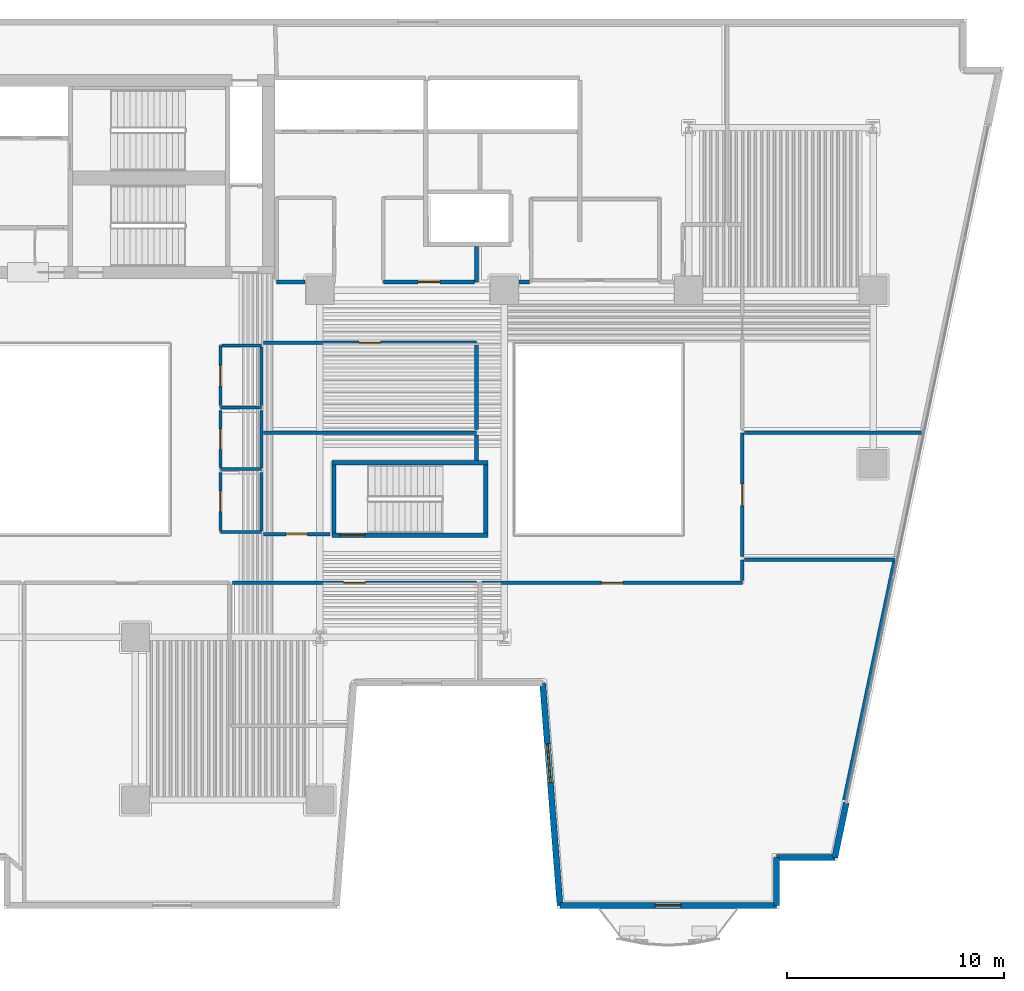
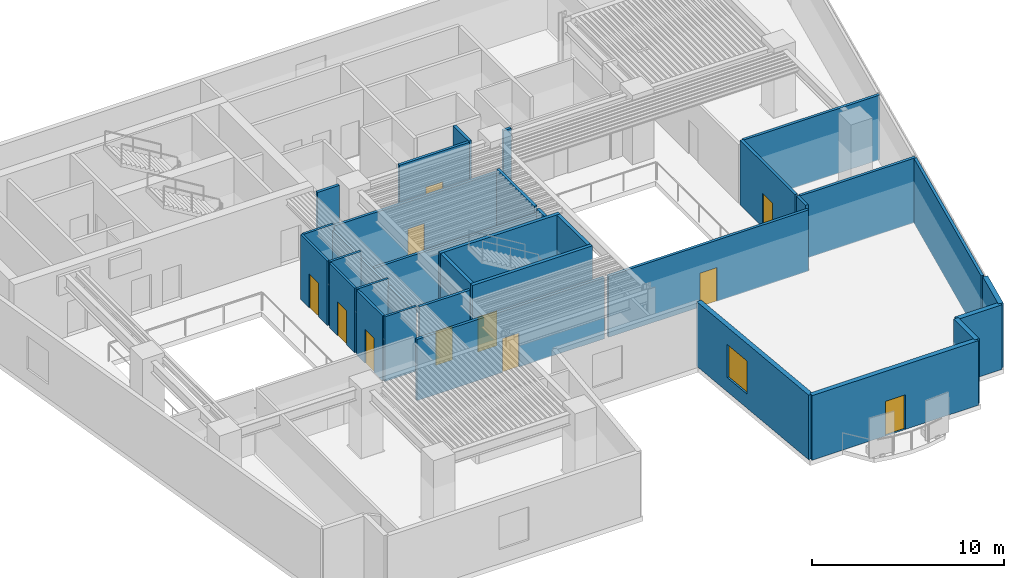
# One storey, part 4 of 11: 35 walls, 11 doors, 1 window, 12 openings.
"""IFC4 building model written with IfcOpenShell, lengths in metres."""

from ifc_helpers import new_model, si_unit, direction, frame, frame_2d, origin, place, context, subcontext, project, spatial, rectangle, extrude, material, layer, layer_set, type_object, element, fill, save


model = new_model("IFC4")

# Units and contexts
model_context = context("Model", 3, precision=1e-05, world=origin(), true_north=direction((0.0, 1.0)))
body_context = subcontext(model_context, "Body", "Model", "MODEL_VIEW")
ifc_project = project(units=[si_unit("LENGTHUNIT", "METRE"), si_unit("AREAUNIT", "SQUARE_METRE"), si_unit("VOLUMEUNIT", "CUBIC_METRE"), si_unit("PLANEANGLEUNIT", "RADIAN"), si_unit("MASSUNIT", "GRAM", prefix="KILO")], contexts=[model_context])

# Site, building, storey
site_placement = place(None, origin())
site = spatial("IfcSite", under=ifc_project, at=site_placement, CompositionType="ELEMENT")
building_placement = place(site_placement, origin())
building = spatial("IfcBuilding", under=site, at=building_placement, Name="Caeloran Harvest Quay", CompositionType="ELEMENT")
storey_placement = place(building_placement, frame((0.0, 0.0, 66.60009765625)))
storey = spatial("IfcBuildingStorey", under=building, at=storey_placement, Name="L15", CompositionType="ELEMENT", Elevation=66.60009765625)

# Walls
ifc_material_1 = material(Name="Precast concrete C50/60", Category="concrete")
ifc_layer_1 = layer(ifc_material_1, 0.280029296875, Name="Precast concrete C50/60")
ifc_layer_set_1 = layer_set([ifc_layer_1], Name="Precast concrete C50/60")
wall_type_1 = type_object("IfcWallType", Name="ENV-WALL-EW-280", PredefinedType="STANDARD", material=ifc_layer_set_1)
wall_1_placement = place(storey_placement, frame((49.77001953125, 7.384521484375, 0.0), z_axis=(0.0, 0.0, 1.0), x_axis=(-0.205551409765, -0.978646319128, 0.0)))
element("IfcWall", 1, at=wall_1_placement, inside=storey, type_object=wall_type_1, Name="L15 Exterior Facade Corner Pier Wall 9B", PredefinedType="STANDARD", context=body_context, shape_type="SweptSolid", body=[
    extrude(rectangle(XDim=2.599853515625, YDim=0.280029296875, at=frame_2d((1.2998046875, 0.0))), origin(), (0.0, 0.0, 1.0), 4.099853515625),
])
wall_2_placement = place(storey_placement, frame((49.235595703125, 4.840087890625, 0.0), z_axis=(0.0, 0.0, 1.0), x_axis=(-1.0, 0.0, 0.0)))
element("IfcWall", 2, at=wall_2_placement, inside=storey, type_object=wall_type_1, Name="L15 Exterior Precast Concrete Facade Wall 10", PredefinedType="STANDARD", context=body_context, shape_type="SweptSolid", body=[
    extrude(rectangle(XDim=2.6884765625, YDim=0.280029296875, at=frame_2d((1.34423828125, 0.0))), origin(), (0.0, 0.0, 1.0), 4.099853515625),
])
wall_3_placement = place(storey_placement, frame((46.547119140625, 4.840087890625, 0.0), z_axis=(0.0, 0.0, 1.0), x_axis=(0.0, -1.0, 0.0)))
element("IfcWall", 3, at=wall_3_placement, inside=storey, type_object=wall_type_1, Name="L15 Exterior Precast Concrete Facade Wall 11", PredefinedType="STANDARD", context=body_context, shape_type="SweptSolid", body=[
    extrude(rectangle(XDim=2.2001953125, YDim=0.280029296875, at=frame_2d((1.10009765625, 0.0))), origin(), (0.0, 0.0, 1.0), 4.099853515625),
])

# Wall, opening, door
wall_4_placement = place(storey_placement, frame((46.547119140625, 2.639892578125, 0.0), z_axis=(0.0, 0.0, 1.0), x_axis=(-1.0, 0.0, 0.0)))
wall_4 = element("IfcWall", 4, at=wall_4_placement, inside=storey, type_object=wall_type_1, Name="L15 Exterior Precast Concrete Facade Wall 12", PredefinedType="STANDARD", context=body_context, shape_type="SweptSolid", body=[
    extrude(rectangle(XDim=9.97705078125, YDim=0.280029296875, at=frame_2d((4.988525390625, 0.0))), origin(), (0.0, 0.0, 1.0), 4.099853515625),
])
opening_1_placement = place(wall_4_placement, frame((4.387939453125, 0.0, 0.0)))
opening_1 = element("IfcOpeningElement", 5, at=opening_1_placement, cuts=wall_4, Name="Opening BD-01", PredefinedType="OPENING", context=body_context, shape_type="SweptSolid", body=[
    extrude(rectangle(XDim=1.199951171875, YDim=2.199951171875, at=frame_2d((0.60009765625, 1.10009765625))), frame((0.0, 0.14990234375, 0.0), z_axis=(0.0, -1.0, 0.0), x_axis=(1.0, 0.0, 0.0)), (0.0, 0.0, 1.0), 0.300048828125),
])
ifc_material_2 = material(Name="Thermally Broken Powder-Coated Aluminium and Safety Glass", Category="aluminium")
door_type_1 = type_object("IfcDoorType", Name="EXTDOOR-BD-01", OperationType="NOTDEFINED", PredefinedType="DOOR", material=ifc_material_2)
door_1_placement = place(opening_1_placement, origin())
door_1 = element("IfcDoor", 6, at=door_1_placement, inside=storey, type_object=door_type_1, Name="L15 Planted Balcony Glazed Access Door", OperationType="SINGLE_SWING_RIGHT", OverallHeight=2.199951171875, OverallWidth=1.199951171875, PredefinedType="DOOR", context=body_context, shape_type="SweptSolid", body=[
    extrude(rectangle(XDim=1.199951171875, YDim=2.199951171875, at=frame_2d((0.60009765625, 1.10009765625))), frame((0.0, 0.02490234375, 0.0), z_axis=(0.0, -1.0, 0.0), x_axis=(1.0, 0.0, 0.0)), (0.0, 0.0, 1.0), 0.050048828125),
])
fill(opening_1, door_1)

# Wall, opening, window
wall_5_placement = place(storey_placement, frame((36.570068359375, 2.639892578125, 0.0), z_axis=(0.0, 0.0, 1.0), x_axis=(-0.077816860153, 0.996967670627, 0.0)))
wall_5 = element("IfcWall", 7, at=wall_5_placement, inside=storey, type_object=wall_type_1, Name="L15 Exterior Precast Concrete Facade Wall 13", PredefinedType="STANDARD", context=body_context, shape_type="SweptSolid", body=[
    extrude(rectangle(XDim=10.28125, YDim=0.280029296875, at=frame_2d((5.140625, 0.0))), origin(), (0.0, 0.0, 1.0), 4.099853515625),
])
opening_2_placement = place(wall_5_placement, frame((5.679931640625, 0.0, 0.89990234375)))
opening_2 = element("IfcOpeningElement", 8, at=opening_2_placement, cuts=wall_5, Name="Opening W-01", PredefinedType="OPENING", context=body_context, shape_type="SweptSolid", body=[
    extrude(rectangle(XDim=1.800048828125, YDim=2.10009765625, at=frame_2d((0.89990234375, 1.050048828125))), frame((0.0, 0.14990234375, 0.0), z_axis=(0.0, -1.0, 0.0), x_axis=(1.0, 0.0, 0.0)), (0.0, 0.0, 1.0), 0.300048828125),
])
ifc_material_3 = material(Name="Aluminium-Framed Low-E Laminated Glass", Category="aluminium")
window_type = type_object("IfcWindowType", Name="WIN-W-01", PartitioningType="SINGLE_PANEL", PredefinedType="WINDOW", material=ifc_material_3)
window_placement = place(opening_2_placement, origin())
window = element("IfcWindow", 9, at=window_placement, inside=storey, type_object=window_type, Name="L15 Facade Punched Window W-01", OverallHeight=2.10009765625, OverallWidth=1.800048828125, PartitioningType="SINGLE_PANEL", PredefinedType="WINDOW", context=body_context, shape_type="SweptSolid", body=[
    extrude(rectangle(XDim=1.800048828125, YDim=2.10009765625, at=frame_2d((0.89990234375, 1.050048828125))), frame((0.0, 0.030029296875, 0.0), z_axis=(0.0, -1.0, 0.0), x_axis=(1.0, 0.0, 0.0)), (0.0, 0.0, 1.0), 0.06005859375),
])
fill(opening_2, window)

# Wall
ifc_material_4 = material(Name="Moisture-Resistant Cement-Board Sanitary Partition", Category="gypsum")
ifc_layer_2 = layer(ifc_material_4, 0.139892578125, Name="Moisture-Resistant Cement-Board Sanitary Partition")
ifc_layer_set_2 = layer_set([ifc_layer_2], Name="Moisture-Resistant Cement-Board Sanitary Partition")
wall_type_2 = type_object("IfcWallType", Name="INT-WALL-PW-140", PredefinedType="PARTITIONING", material=ifc_layer_set_2)
wall_6_placement = place(storey_placement, frame((22.800048828125, 25.60009765625, 0.0), z_axis=(0.0, 0.0, 1.0), x_axis=(-1.0, 0.0, 0.0)))
element("IfcWall", 10, at=wall_6_placement, inside=storey, type_object=wall_type_2, Name="L15 Male Washroom WC Partition Wall", PredefinedType="PARTITIONING", context=body_context, shape_type="SweptSolid", body=[
    extrude(rectangle(XDim=1.89013671875, YDim=0.139892578125, at=frame_2d((0.945068359375, 0.0))), origin(), (0.0, 0.0, 1.0), 4.099853515625),
])

# Wall, opening, door
wall_7_placement = place(storey_placement, frame((20.909912109375, 25.675048828125, 0.0), z_axis=(0.0, 0.0, 1.0), x_axis=(0.0, 1.0, 0.0)))
wall_7 = element("IfcWall", 11, at=wall_7_placement, inside=storey, type_object=wall_type_2, Name="L15 Male Washroom WC Partition Wall", PredefinedType="PARTITIONING", context=body_context, shape_type="SweptSolid", body=[
    extrude(rectangle(XDim=2.77490234375, YDim=0.139892578125, at=frame_2d((1.387451171875, 0.0))), origin(), (0.0, 0.0, 1.0), 4.099853515625),
])
opening_3_placement = place(wall_7_placement, frame((0.91259765625, 0.0, 0.0)))
opening_3 = element("IfcOpeningElement", 12, at=opening_3_placement, cuts=wall_7, Name="Opening WC-01", PredefinedType="OPENING", context=body_context, shape_type="SweptSolid", body=[
    extrude(rectangle(XDim=0.949951171875, YDim=2.14990234375, at=frame_2d((0.47509765625, 1.074951171875))), frame((0.0, 0.080078125, 0.0), z_axis=(0.0, -1.0, 0.0), x_axis=(1.0, 0.0, 0.0)), (0.0, 0.0, 1.0), 0.159912109375),
])
ifc_material_5 = material(Name="High-Pressure Laminate Moisture-Resistant Timber", Category="wood")
door_type_2 = type_object("IfcDoorType", Name="INTDOOR-WC-01", OperationType="NOTDEFINED", PredefinedType="DOOR", material=ifc_material_5)
door_2_placement = place(opening_3_placement, origin())
door_2 = element("IfcDoor", 13, at=door_2_placement, inside=storey, type_object=door_type_2, Name="L15 Male Washroom WC Access Door", OperationType="SINGLE_SWING_LEFT", OverallHeight=2.14990234375, OverallWidth=0.949951171875, PredefinedType="DOOR", context=body_context, shape_type="SweptSolid", body=[
    extrude(rectangle(XDim=0.949951171875, YDim=2.14990234375, at=frame_2d((0.47509765625, 1.074951171875))), frame((0.0, 0.02490234375, 0.0), z_axis=(0.0, -1.0, 0.0), x_axis=(1.0, 0.0, 0.0)), (0.0, 0.0, 1.0), 0.050048828125),
])
fill(opening_3, door_2)

# Walls
wall_8_placement = place(storey_placement, frame((20.985107421875, 28.449951171875, 0.0), z_axis=(0.0, 0.0, 1.0), x_axis=(1.0, 0.0, 0.0)))
element("IfcWall", 14, at=wall_8_placement, inside=storey, type_object=wall_type_2, Name="L15 Male Washroom WC Partition Wall", PredefinedType="PARTITIONING", context=body_context, shape_type="SweptSolid", body=[
    extrude(rectangle(XDim=1.81494140625, YDim=0.139892578125, at=frame_2d((0.907470703125, 0.0))), origin(), (0.0, 0.0, 1.0), 4.099853515625),
])
wall_9_placement = place(storey_placement, frame((22.800048828125, 28.375, 0.0), z_axis=(0.0, 0.0, 1.0), x_axis=(0.0, -1.0, 0.0)))
element("IfcWall", 15, at=wall_9_placement, inside=storey, type_object=wall_type_2, Name="L15 Male Washroom WC Partition Wall", PredefinedType="PARTITIONING", context=body_context, shape_type="SweptSolid", body=[
    extrude(rectangle(XDim=2.699951171875, YDim=0.139892578125, at=frame_2d((1.35009765625, 0.0))), origin(), (0.0, 0.0, 1.0), 3.724853515625),
])
wall_10_placement = place(storey_placement, frame((22.800048828125, 22.75, 0.0), z_axis=(0.0, 0.0, 1.0), x_axis=(-1.0, 0.0, 0.0)))
element("IfcWall", 16, at=wall_10_placement, inside=storey, type_object=wall_type_2, Name="L15 Female Washroom WC Partition Wall", PredefinedType="PARTITIONING", context=body_context, shape_type="SweptSolid", body=[
    extrude(rectangle(XDim=1.89013671875, YDim=0.139892578125, at=frame_2d((0.945068359375, 0.0))), origin(), (0.0, 0.0, 1.0), 4.099853515625),
])

# Wall, opening, door
wall_11_placement = place(storey_placement, frame((20.909912109375, 22.824951171875, 0.0), z_axis=(0.0, 0.0, 1.0), x_axis=(0.0, 1.0, 0.0)))
wall_11 = element("IfcWall", 17, at=wall_11_placement, inside=storey, type_object=wall_type_2, Name="L15 Female Washroom WC Partition Wall", PredefinedType="PARTITIONING", context=body_context, shape_type="SweptSolid", body=[
    extrude(rectangle(XDim=2.625, YDim=0.139892578125, at=frame_2d((1.3125, 0.0))), origin(), (0.0, 0.0, 1.0), 4.099853515625),
])
opening_4_placement = place(wall_11_placement, frame((0.83740234375, 0.0, 0.0)))
opening_4 = element("IfcOpeningElement", 18, at=opening_4_placement, cuts=wall_11, Name="Opening WC-01", PredefinedType="OPENING", context=body_context, shape_type="SweptSolid", body=[
    extrude(rectangle(XDim=0.949951171875, YDim=2.14990234375, at=frame_2d((0.47509765625, 1.074951171875))), frame((0.0, 0.080078125, 0.0), z_axis=(0.0, -1.0, 0.0), x_axis=(1.0, 0.0, 0.0)), (0.0, 0.0, 1.0), 0.159912109375),
])
door_3_placement = place(opening_4_placement, origin())
door_3 = element("IfcDoor", 19, at=door_3_placement, inside=storey, type_object=door_type_2, Name="L15 Female Washroom WC Access Door", OperationType="SINGLE_SWING_RIGHT", OverallHeight=2.14990234375, OverallWidth=0.949951171875, PredefinedType="DOOR", context=body_context, shape_type="SweptSolid", body=[
    extrude(rectangle(XDim=0.949951171875, YDim=2.14990234375, at=frame_2d((0.47509765625, 1.074951171875))), frame((0.0, 0.02490234375, 0.0), z_axis=(0.0, -1.0, 0.0), x_axis=(1.0, 0.0, 0.0)), (0.0, 0.0, 1.0), 0.050048828125),
])
fill(opening_4, door_3)

# Walls
wall_12_placement = place(storey_placement, frame((22.800048828125, 25.449951171875, 0.0), z_axis=(0.0, 0.0, 1.0), x_axis=(0.0, -1.0, 0.0)))
element("IfcWall", 20, at=wall_12_placement, inside=storey, type_object=wall_type_2, Name="L15 Female Washroom WC Partition Wall", PredefinedType="PARTITIONING", context=body_context, shape_type="SweptSolid", body=[
    extrude(rectangle(XDim=2.625, YDim=0.139892578125, at=frame_2d((1.3125, 0.0))), origin(), (0.0, 0.0, 1.0), 3.724853515625),
])
wall_13_placement = place(storey_placement, frame((22.800048828125, 19.85009765625, 0.0), z_axis=(0.0, 0.0, 1.0), x_axis=(-1.0, 0.0, 0.0)))
element("IfcWall", 21, at=wall_13_placement, inside=storey, type_object=wall_type_2, Name="L15 Accessible Unisex Washroom WC Partition Wall", PredefinedType="PARTITIONING", context=body_context, shape_type="SweptSolid", body=[
    extrude(rectangle(XDim=1.89013671875, YDim=0.139892578125, at=frame_2d((0.945068359375, 0.0))), origin(), (0.0, 0.0, 1.0), 4.099853515625),
])

# Wall, opening, door
wall_14_placement = place(storey_placement, frame((20.909912109375, 19.925048828125, 0.0), z_axis=(0.0, 0.0, 1.0), x_axis=(0.0, 1.0, 0.0)))
wall_14 = element("IfcWall", 22, at=wall_14_placement, inside=storey, type_object=wall_type_2, Name="L15 Accessible Unisex Washroom WC Partition Wall", PredefinedType="PARTITIONING", context=body_context, shape_type="SweptSolid", body=[
    extrude(rectangle(XDim=2.675048828125, YDim=0.139892578125, at=frame_2d((1.33740234375, 0.0))), origin(), (0.0, 0.0, 1.0), 4.099853515625),
])
opening_5_placement = place(wall_14_placement, frame((0.862548828125, 0.0, 0.0)))
opening_5 = element("IfcOpeningElement", 23, at=opening_5_placement, cuts=wall_14, Name="Opening WC-01", PredefinedType="OPENING", context=body_context, shape_type="SweptSolid", body=[
    extrude(rectangle(XDim=0.949951171875, YDim=2.14990234375, at=frame_2d((0.47509765625, 1.074951171875))), frame((0.0, 0.080078125, 0.0), z_axis=(0.0, -1.0, 0.0), x_axis=(1.0, 0.0, 0.0)), (0.0, 0.0, 1.0), 0.159912109375),
])
door_4_placement = place(opening_5_placement, origin())
door_4 = element("IfcDoor", 24, at=door_4_placement, inside=storey, type_object=door_type_2, Name="L15 Accessible Unisex Washroom WC Access Door", OperationType="SINGLE_SWING_LEFT", OverallHeight=2.14990234375, OverallWidth=0.949951171875, PredefinedType="DOOR", context=body_context, shape_type="SweptSolid", body=[
    extrude(rectangle(XDim=0.949951171875, YDim=2.14990234375, at=frame_2d((0.47509765625, 1.074951171875))), frame((0.0, 0.02490234375, 0.0), z_axis=(0.0, -1.0, 0.0), x_axis=(1.0, 0.0, 0.0)), (0.0, 0.0, 1.0), 0.050048828125),
])
fill(opening_5, door_4)

# Wall
wall_15_placement = place(storey_placement, frame((22.800048828125, 22.60009765625, 0.0), z_axis=(0.0, 0.0, 1.0), x_axis=(0.0, -1.0, 0.0)))
element("IfcWall", 25, at=wall_15_placement, inside=storey, type_object=wall_type_2, Name="L15 Accessible Unisex Washroom WC Partition Wall", PredefinedType="PARTITIONING", context=body_context, shape_type="SweptSolid", body=[
    extrude(rectangle(XDim=2.675048828125, YDim=0.139892578125, at=frame_2d((1.33740234375, 0.0))), origin(), (0.0, 0.0, 1.0), 3.724853515625),
])

# Wall, opening, door
ifc_material_6 = material(Name="Autoclaved Aerated Concrete Blockwork", Category="masonry")
ifc_layer_3 = layer(ifc_material_6, 0.1650390625, Name="Autoclaved Aerated Concrete Blockwork")
ifc_layer_set_3 = layer_set([ifc_layer_3], Name="Autoclaved Aerated Concrete Blockwork")
wall_type_3 = type_object("IfcWallType", Name="INT-WALL-PW-165", PredefinedType="PARTITIONING", material=ifc_layer_set_3)
wall_16_placement = place(storey_placement, frame((32.967529296875, 17.52001953125, 0.0), z_axis=(0.0, 0.0, 1.0), x_axis=(1.0, 0.0, 0.0)))
wall_16 = element("IfcWall", 26, at=wall_16_placement, inside=storey, type_object=wall_type_3, Name="Medicinal Plant Aeroponic Room Partition Wall", PredefinedType="PARTITIONING", context=body_context, shape_type="SweptSolid", body=[
    extrude(rectangle(XDim=12.012451171875, YDim=0.1650390625, at=frame_2d((6.00634765625, 0.0))), origin(), (0.0, 0.0, 1.0), 3.885009765625),
])
opening_6_placement = place(wall_16_placement, frame((5.506103515625, 0.0, 0.0)))
opening_6 = element("IfcOpeningElement", 27, at=opening_6_placement, cuts=wall_16, Name="Opening ID-01", PredefinedType="OPENING", context=body_context, shape_type="SweptSolid", body=[
    extrude(rectangle(XDim=1.0, YDim=2.14990234375, at=frame_2d((0.5, 1.074951171875))), frame((0.0, 0.092529296875, 0.0), z_axis=(0.0, -1.0, 0.0), x_axis=(1.0, 0.0, 0.0)), (0.0, 0.0, 1.0), 0.18505859375),
])
ifc_material_7 = material(Name="FSC Solid-Core Ash Timber and Acoustic Seal", Category="wood")
door_type_3 = type_object("IfcDoorType", Name="INTDOOR-ID-01", OperationType="NOTDEFINED", PredefinedType="DOOR", material=ifc_material_7)
door_5_placement = place(opening_6_placement, origin())
door_5 = element("IfcDoor", 28, at=door_5_placement, inside=storey, type_object=door_type_3, Name="Medicinal Plant Aeroponic Room Access Door", OperationType="SINGLE_SWING_LEFT", OverallHeight=2.14990234375, OverallWidth=1.0, PredefinedType="DOOR", context=body_context, shape_type="SweptSolid", body=[
    extrude(rectangle(XDim=1.0, YDim=2.14990234375, at=frame_2d((0.5, 1.074951171875))), frame((0.0, 0.02490234375, 0.0), z_axis=(0.0, -1.0, 0.0), x_axis=(1.0, 0.0, 0.0)), (0.0, 0.0, 1.0), 0.050048828125),
])
fill(opening_6, door_5)

# Walls
wall_17_placement = place(storey_placement, frame((44.97998046875, 17.607421875, 0.0), z_axis=(0.0, 0.0, 1.0), x_axis=(0.0, 1.0, 0.0)))
element("IfcWall", 29, at=wall_17_placement, inside=storey, type_object=wall_type_3, Name="Medicinal Plant Aeroponic Room Partition Wall", PredefinedType="PARTITIONING", context=body_context, shape_type="SweptSolid", body=[
    extrude(rectangle(XDim=0.962646484375, YDim=0.1650390625, at=frame_2d((0.4814453125, 0.0))), origin(), (0.0, 0.0, 1.0), 4.099853515625),
])
wall_18_placement = place(storey_placement, frame((45.0673828125, 18.570068359375, 0.0), z_axis=(0.0, 0.0, 1.0), x_axis=(1.0, 0.0, 0.0)))
element("IfcWall", 30, at=wall_18_placement, inside=storey, type_object=wall_type_3, Name="Medicinal Plant Aeroponic Room Partition Wall", PredefinedType="PARTITIONING", context=body_context, shape_type="SweptSolid", body=[
    extrude(rectangle(XDim=6.945068359375, YDim=0.1650390625, at=frame_2d((3.47265625, 0.0))), origin(), (0.0, 0.0, 1.0), 4.099853515625),
])
wall_19_placement = place(storey_placement, frame((51.978515625, 18.482421875, 0.0), z_axis=(0.0, 0.0, 1.0), x_axis=(-0.2055553709, -0.978645487137, 0.0)))
element("IfcWall", 31, at=wall_19_placement, inside=storey, type_object=wall_type_3, Name="Medicinal Plant Aeroponic Room Partition Wall", PredefinedType="PARTITIONING", context=body_context, shape_type="SweptSolid", body=[
    extrude(rectangle(XDim=11.22021484375, YDim=0.1650390625, at=frame_2d((5.610107421875, 0.0))), origin(), (0.0, 0.0, 1.0), 4.099853515625),
])

# Wall, opening, door
wall_20_placement = place(storey_placement, frame((21.47998046875, 17.52001953125, 0.0), z_axis=(0.0, 0.0, 1.0), x_axis=(1.0, 0.0, 0.0)))
wall_20 = element("IfcWall", 32, at=wall_20_placement, inside=storey, type_object=wall_type_3, Name="Water Chemistry QA Laboratory Partition Wall", PredefinedType="PARTITIONING", context=body_context, shape_type="SweptSolid", body=[
    extrude(rectangle(XDim=11.239990234375, YDim=0.1650390625, at=frame_2d((5.6201171875, 0.0))), origin(), (0.0, 0.0, 1.0), 3.885009765625),
])
opening_7_placement = place(wall_20_placement, frame((5.1201171875, 0.0, 0.0)))
opening_7 = element("IfcOpeningElement", 33, at=opening_7_placement, cuts=wall_20, Name="Opening ID-01", PredefinedType="OPENING", context=body_context, shape_type="SweptSolid", body=[
    extrude(rectangle(XDim=1.0, YDim=2.14990234375, at=frame_2d((0.5, 1.074951171875))), frame((0.0, 0.092529296875, 0.0), z_axis=(0.0, -1.0, 0.0), x_axis=(1.0, 0.0, 0.0)), (0.0, 0.0, 1.0), 0.18505859375),
])
door_6_placement = place(opening_7_placement, origin())
door_6 = element("IfcDoor", 34, at=door_6_placement, inside=storey, type_object=door_type_3, Name="Water Chemistry QA Laboratory Access Door", OperationType="SINGLE_SWING_LEFT", OverallHeight=2.14990234375, OverallWidth=1.0, PredefinedType="DOOR", context=body_context, shape_type="SweptSolid", body=[
    extrude(rectangle(XDim=1.0, YDim=2.14990234375, at=frame_2d((0.5, 1.074951171875))), frame((0.0, 0.02490234375, 0.0), z_axis=(0.0, -1.0, 0.0), x_axis=(1.0, 0.0, 0.0)), (0.0, 0.0, 1.0), 0.050048828125),
])
fill(opening_7, door_6)

wall_21_placement = place(storey_placement, frame((44.97998046875, 18.72998046875, 0.0), z_axis=(0.0, 0.0, 1.0), x_axis=(0.0, 1.0, 0.0)))
wall_21 = element("IfcWall", 35, at=wall_21_placement, inside=storey, type_object=wall_type_3, Name="Packaging Crate Laboratory Partition Wall", PredefinedType="PARTITIONING", context=body_context, shape_type="SweptSolid", body=[
    extrude(rectangle(XDim=5.68994140625, YDim=0.1650390625, at=frame_2d((2.844970703125, 0.0))), origin(), (0.0, 0.0, 1.0), 4.099853515625),
])
opening_8_placement = place(wall_21_placement, frame((2.344970703125, 0.0, 0.0)))
opening_8 = element("IfcOpeningElement", 36, at=opening_8_placement, cuts=wall_21, Name="Opening ID-01", PredefinedType="OPENING", context=body_context, shape_type="SweptSolid", body=[
    extrude(rectangle(XDim=1.0, YDim=2.14990234375, at=frame_2d((0.5, 1.074951171875))), frame((0.0, 0.092529296875, 0.0), z_axis=(0.0, -1.0, 0.0), x_axis=(1.0, 0.0, 0.0)), (0.0, 0.0, 1.0), 0.18505859375),
])
door_7_placement = place(opening_8_placement, origin())
door_7 = element("IfcDoor", 37, at=door_7_placement, inside=storey, type_object=door_type_3, Name="Packaging Crate Laboratory Access Door", OperationType="SINGLE_SWING_RIGHT", OverallHeight=2.14990234375, OverallWidth=1.0, PredefinedType="DOOR", context=body_context, shape_type="SweptSolid", body=[
    extrude(rectangle(XDim=1.0, YDim=2.14990234375, at=frame_2d((0.5, 1.074951171875))), frame((0.0, 0.02490234375, 0.0), z_axis=(0.0, -1.0, 0.0), x_axis=(1.0, 0.0, 0.0)), (0.0, 0.0, 1.0), 0.050048828125),
])
fill(opening_8, door_7)

# Wall
wall_22_placement = place(storey_placement, frame((45.0673828125, 24.419921875, 0.0), z_axis=(0.0, 0.0, 1.0), x_axis=(1.0, 0.0, 0.0)))
element("IfcWall", 38, at=wall_22_placement, inside=storey, type_object=wall_type_3, Name="Packaging Crate Laboratory Partition Wall", PredefinedType="PARTITIONING", context=body_context, shape_type="SweptSolid", body=[
    extrude(rectangle(XDim=8.174072265625, YDim=0.1650390625, at=frame_2d((4.0869140625, 0.0))), origin(), (0.0, 0.0, 1.0), 4.099853515625),
])

# Wall, opening, door
wall_23_placement = place(storey_placement, frame((25.95556640625, 19.75, 0.0), z_axis=(0.0, 0.0, 1.0), x_axis=(-1.0, 0.0, 0.0)))
wall_23 = element("IfcWall", 39, at=wall_23_placement, inside=storey, type_object=wall_type_3, Name="Compliance Office Partition Wall", PredefinedType="PARTITIONING", context=body_context, shape_type="SweptSolid", body=[
    extrude(rectangle(XDim=3.045654296875, YDim=0.1650390625, at=frame_2d((1.52294921875, 0.0))), origin(), (0.0, 0.0, 1.0), 4.099853515625),
])
opening_9_placement = place(wall_23_placement, frame((1.022705078125, 0.0, 0.0)))
opening_9 = element("IfcOpeningElement", 40, at=opening_9_placement, cuts=wall_23, Name="Opening ID-01", PredefinedType="OPENING", context=body_context, shape_type="SweptSolid", body=[
    extrude(rectangle(XDim=1.0, YDim=2.14990234375, at=frame_2d((0.5, 1.074951171875))), frame((0.0, 0.092529296875, 0.0), z_axis=(0.0, -1.0, 0.0), x_axis=(1.0, 0.0, 0.0)), (0.0, 0.0, 1.0), 0.18505859375),
])
door_8_placement = place(opening_9_placement, origin())
door_8 = element("IfcDoor", 41, at=door_8_placement, inside=storey, type_object=door_type_3, Name="Compliance Office Access Door", OperationType="SINGLE_SWING_LEFT", OverallHeight=2.14990234375, OverallWidth=1.0, PredefinedType="DOOR", context=body_context, shape_type="SweptSolid", body=[
    extrude(rectangle(XDim=1.0, YDim=2.14990234375, at=frame_2d((0.5, 1.074951171875))), frame((0.0, 0.02490234375, 0.0), z_axis=(0.0, -1.0, 0.0), x_axis=(1.0, 0.0, 0.0)), (0.0, 0.0, 1.0), 0.050048828125),
])
fill(opening_9, door_8)

# Walls
wall_24_placement = place(storey_placement, frame((22.909912109375, 24.419921875, 0.0), z_axis=(0.0, 0.0, 1.0), x_axis=(1.0, 0.0, 0.0)))
element("IfcWall", 42, at=wall_24_placement, inside=storey, type_object=wall_type_3, Name="Compliance Office Partition Wall", PredefinedType="PARTITIONING", context=body_context, shape_type="SweptSolid", body=[
    extrude(rectangle(XDim=9.81005859375, YDim=0.1650390625, at=frame_2d((4.905029296875, 0.0))), origin(), (0.0, 0.0, 1.0), 3.724853515625),
])
wall_25_placement = place(storey_placement, frame((32.719970703125, 24.33251953125, 0.0), z_axis=(0.0, 0.0, 1.0), x_axis=(0.0, -1.0, 0.0)))
element("IfcWall", 43, at=wall_25_placement, inside=storey, type_object=wall_type_3, Name="Compliance Office Partition Wall", PredefinedType="PARTITIONING", context=body_context, shape_type="SweptSolid", body=[
    extrude(rectangle(XDim=1.177490234375, YDim=0.1650390625, at=frame_2d((0.5888671875, 0.0))), origin(), (0.0, 0.0, 1.0), 4.099853515625),
])

# Wall, opening, door
wall_26_placement = place(storey_placement, frame((22.889892578125, 28.570068359375, 0.0), z_axis=(0.0, 0.0, 1.0), x_axis=(1.0, 0.0, 0.0)))
wall_26 = element("IfcWall", 44, at=wall_26_placement, inside=storey, type_object=wall_type_3, Name="Harvest Briefing Conference Room Partition Wall", PredefinedType="PARTITIONING", context=body_context, shape_type="SweptSolid", body=[
    extrude(rectangle(XDim=9.830078125, YDim=0.1650390625, at=frame_2d((4.9150390625, 0.0))), origin(), (0.0, 0.0, 1.0), 3.885009765625),
])
opening_10_placement = place(wall_26_placement, frame((4.4150390625, 0.0, 0.0)))
opening_10 = element("IfcOpeningElement", 45, at=opening_10_placement, cuts=wall_26, Name="Opening ID-01", PredefinedType="OPENING", context=body_context, shape_type="SweptSolid", body=[
    extrude(rectangle(XDim=1.0, YDim=2.14990234375, at=frame_2d((0.5, 1.074951171875))), frame((0.0, 0.092529296875, 0.0), z_axis=(0.0, -1.0, 0.0), x_axis=(1.0, 0.0, 0.0)), (0.0, 0.0, 1.0), 0.18505859375),
])
door_9_placement = place(opening_10_placement, origin())
door_9 = element("IfcDoor", 46, at=door_9_placement, inside=storey, type_object=door_type_3, Name="Harvest Briefing Conference Room Access Door", OperationType="SINGLE_SWING_RIGHT", OverallHeight=2.14990234375, OverallWidth=1.0, PredefinedType="DOOR", context=body_context, shape_type="SweptSolid", body=[
    extrude(rectangle(XDim=1.0, YDim=2.14990234375, at=frame_2d((0.5, 1.074951171875))), frame((0.0, 0.02490234375, 0.0), z_axis=(0.0, -1.0, 0.0), x_axis=(1.0, 0.0, 0.0)), (0.0, 0.0, 1.0), 0.050048828125),
])
fill(opening_10, door_9)

# Walls
wall_27_placement = place(storey_placement, frame((32.719970703125, 28.482421875, 0.0), z_axis=(0.0, 0.0, 1.0), x_axis=(0.0, -1.0, 0.0)))
element("IfcWall", 47, at=wall_27_placement, inside=storey, type_object=wall_type_3, Name="Harvest Briefing Conference Room Partition Wall", PredefinedType="PARTITIONING", context=body_context, shape_type="SweptSolid", body=[
    extrude(rectangle(XDim=3.90234375, YDim=0.1650390625, at=frame_2d((1.951171875, 0.0))), origin(), (0.0, 0.0, 1.0), 4.099853515625),
])
wall_28_placement = place(storey_placement, frame((32.719970703125, 33.014892578125, 0.0), z_axis=(0.0, 0.0, 1.0), x_axis=(0.0, -1.0, 0.0)))
element("IfcWall", 48, at=wall_28_placement, inside=storey, type_object=wall_type_3, Name="Staff Wellness Lounge Partition Wall", PredefinedType="PARTITIONING", context=body_context, shape_type="SweptSolid", body=[
    extrude(rectangle(XDim=1.635009765625, YDim=0.1650390625, at=frame_2d((0.8173828125, 0.0))), origin(), (0.0, 0.0, 1.0), 4.099853515625),
])

# Wall, opening, door
wall_29_placement = place(storey_placement, frame((32.632568359375, 31.3798828125, 0.0), z_axis=(0.0, 0.0, 1.0), x_axis=(-1.0, 0.0, 0.0)))
wall_29 = element("IfcWall", 49, at=wall_29_placement, inside=storey, type_object=wall_type_3, Name="Staff Wellness Lounge Partition Wall", PredefinedType="PARTITIONING", context=body_context, shape_type="SweptSolid", body=[
    extrude(rectangle(XDim=4.20263671875, YDim=0.1650390625, at=frame_2d((2.101318359375, 0.0))), origin(), (0.0, 0.0, 1.0), 4.099853515625),
])
opening_11_placement = place(wall_29_placement, frame((1.601318359375, 0.0, 0.0)))
opening_11 = element("IfcOpeningElement", 50, at=opening_11_placement, cuts=wall_29, Name="Opening ID-01", PredefinedType="OPENING", context=body_context, shape_type="SweptSolid", body=[
    extrude(rectangle(XDim=1.0, YDim=2.14990234375, at=frame_2d((0.5, 1.074951171875))), frame((0.0, 0.092529296875, 0.0), z_axis=(0.0, -1.0, 0.0), x_axis=(1.0, 0.0, 0.0)), (0.0, 0.0, 1.0), 0.18505859375),
])
door_10_placement = place(opening_11_placement, origin())
door_10 = element("IfcDoor", 51, at=door_10_placement, inside=storey, type_object=door_type_3, Name="Staff Wellness Lounge Access Door", OperationType="SINGLE_SWING_LEFT", OverallHeight=2.14990234375, OverallWidth=1.0, PredefinedType="DOOR", context=body_context, shape_type="SweptSolid", body=[
    extrude(rectangle(XDim=1.0, YDim=2.14990234375, at=frame_2d((0.5, 1.074951171875))), frame((0.0, 0.02490234375, 0.0), z_axis=(0.0, -1.0, 0.0), x_axis=(1.0, 0.0, 0.0)), (0.0, 0.0, 1.0), 0.050048828125),
])
fill(opening_11, door_10)

# Walls
wall_30_placement = place(storey_placement, frame((24.824951171875, 31.3798828125, 0.0), z_axis=(0.0, 0.0, 1.0), x_axis=(-1.0, 0.0, 0.0)))
element("IfcWall", 52, at=wall_30_placement, inside=storey, type_object=wall_type_3, Name="Dwarf Citrus Mezzanine Growing Hall 9 Partition Wall", PredefinedType="PARTITIONING", context=body_context, shape_type="SweptSolid", body=[
    extrude(rectangle(XDim=1.31494140625, YDim=0.1650390625, at=frame_2d((0.657470703125, 0.0))), origin(), (0.0, 0.0, 1.0), 4.099853515625),
])
wall_31_placement = place(storey_placement, frame((35.155517578125, 31.3798828125, 0.0), z_axis=(0.0, 0.0, 1.0), x_axis=(-1.0, 0.0, 0.0)))
element("IfcWall", 53, at=wall_31_placement, inside=storey, type_object=wall_type_3, Name="Photobiology Spectrum Laboratory 11 Partition Wall", PredefinedType="PARTITIONING", context=body_context, shape_type="SweptSolid", body=[
    extrude(rectangle(XDim=0.48046875, YDim=0.1650390625, at=frame_2d((0.240234375, 0.0))), origin(), (0.0, 0.0, 1.0), 4.099853515625),
])

# Wall, opening, door
ifc_material_8 = material(Name="Concrete C60/75", Category="concrete")
ifc_layer_4 = layer(ifc_material_8, 0.199951171875, Name="Concrete C60/75")
ifc_layer_set_4 = layer_set([ifc_layer_4], Name="Concrete C60/75")
wall_type_4 = type_object("IfcWallType", Name="STR-WALL-SW-200", PredefinedType="SHEAR", material=ifc_layer_set_4)
wall_32_placement = place(storey_placement, frame((26.050048828125, 19.699951171875, 0.0), z_axis=(0.0, 0.0, 1.0), x_axis=(1.0, 0.0, 0.0)))
wall_32 = element("IfcWall", 54, at=wall_32_placement, inside=storey, type_object=wall_type_4, Name="L15 Stair ST-W1 S RC Shaft Shear Wall", PredefinedType="SHEAR", context=body_context, shape_type="SweptSolid", body=[
    extrude(rectangle(XDim=7.199951171875, YDim=0.199951171875, at=frame_2d((3.60009765625, 0.0))), origin(), (0.0, 0.0, 1.0), 4.39990234375),
])
opening_12_placement = place(wall_32_placement, frame((0.3798828125, 0.0, 0.0)))
opening_12 = element("IfcOpeningElement", 55, at=opening_12_placement, cuts=wall_32, Name="Opening SD-01", PredefinedType="OPENING", context=body_context, shape_type="SweptSolid", body=[
    extrude(rectangle(XDim=1.14990234375, YDim=2.199951171875, at=frame_2d((0.574951171875, 1.10009765625))), frame((0.0, 0.10986328125, 0.0), z_axis=(0.0, -1.0, 0.0), x_axis=(1.0, 0.0, 0.0)), (0.0, 0.0, 1.0), 0.219970703125),
])
ifc_material_9 = material(Name="Steel", Category="steel")
door_type_4 = type_object("IfcDoorType", Name="INTDOOR-SD-01", OperationType="NOTDEFINED", PredefinedType="DOOR", material=ifc_material_9)
door_11_placement = place(opening_12_placement, origin())
door_11 = element("IfcDoor", 56, at=door_11_placement, inside=storey, type_object=door_type_4, Name="L15 Protected Exit Stair ST-W1 Fire Door", OperationType="SINGLE_SWING_LEFT", OverallHeight=2.199951171875, OverallWidth=1.14990234375, PredefinedType="DOOR", context=body_context, shape_type="SweptSolid", body=[
    extrude(rectangle(XDim=1.14990234375, YDim=2.199951171875, at=frame_2d((0.574951171875, 1.10009765625))), frame((0.0, 0.02490234375, 0.0), z_axis=(0.0, -1.0, 0.0), x_axis=(1.0, 0.0, 0.0)), (0.0, 0.0, 1.0), 0.050048828125),
])
fill(opening_12, door_11)

# Walls
wall_33_placement = place(storey_placement, frame((26.050048828125, 23.050048828125, 0.0), z_axis=(0.0, 0.0, 1.0), x_axis=(1.0, 0.0, 0.0)))
element("IfcWall", 57, at=wall_33_placement, inside=storey, type_object=wall_type_4, Name="L15 Stair ST-W1 N RC Shaft Shear Wall", PredefinedType="SHEAR", context=body_context, shape_type="SweptSolid", body=[
    extrude(rectangle(XDim=7.199951171875, YDim=0.199951171875, at=frame_2d((3.60009765625, 0.0))), origin(), (0.0, 0.0, 1.0), 4.39990234375),
])
for number, where, z_axis, x_axis, name in (
    (58, (26.14990234375, 19.81005859375, 0.0), (0.0, 0.0, 1.0), (0.0, 1.0, 0.0), "L15 Stair ST-W1 W RC Shaft Shear Wall"),
    (59, (33.14990234375, 19.81005859375, 0.0), (0.0, 0.0, 1.0), (0.0, 1.0, 0.0), "L15 Stair ST-W1 E RC Shaft Shear Wall"),
):
    element("IfcWall", number, at=place(storey_placement, frame(where, z_axis=z_axis, x_axis=x_axis)), inside=storey, type_object=wall_type_4, Name=name, PredefinedType="SHEAR", context=body_context, shape_type="SweptSolid", body=[
        extrude(rectangle(XDim=3.1298828125, YDim=0.199951171875, at=frame_2d((1.56494140625, 0.0))), origin(), (0.0, 0.0, 1.0), 4.39990234375),
    ])

save(model, "model.ifc")
